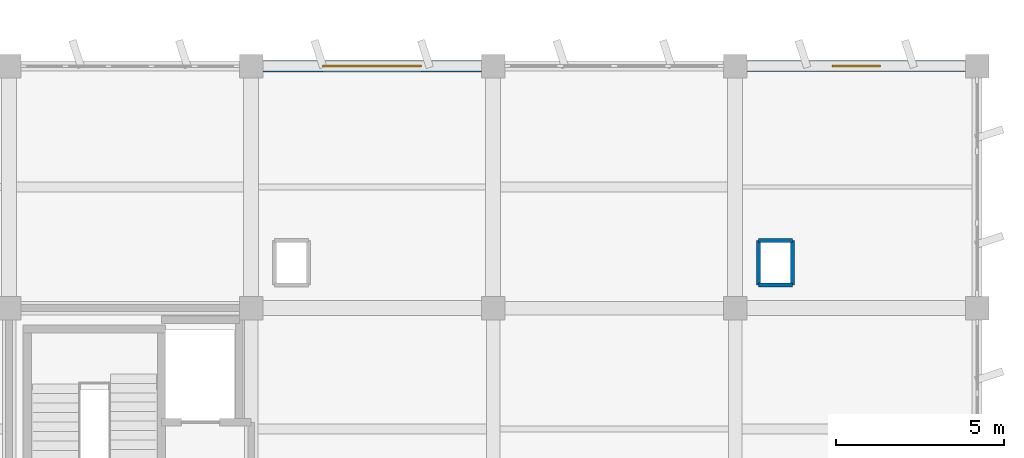
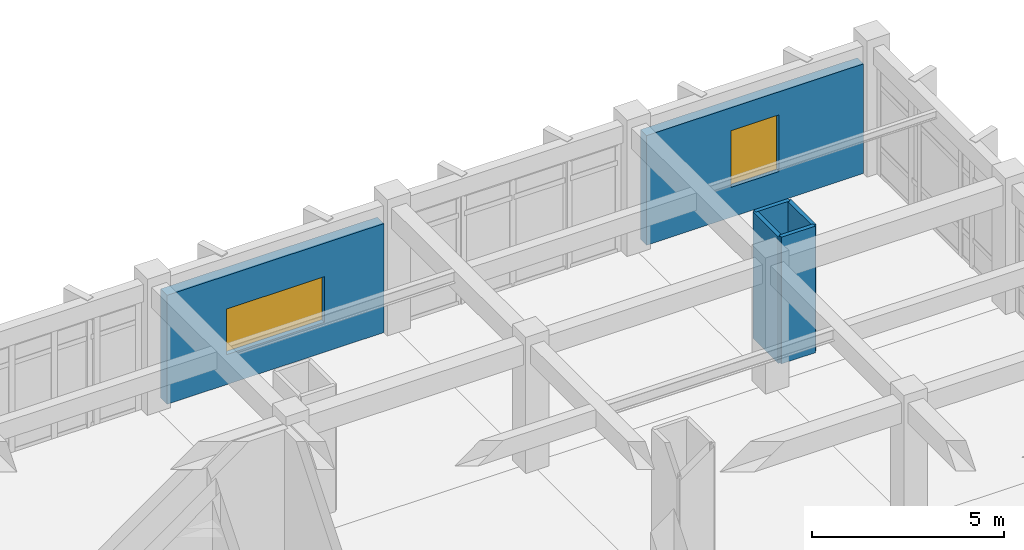
# One storey, part 62 of 70: 6 walls, 2 windows, 2 openings.
"""IFC4 building model written with IfcOpenShell, lengths in metres."""

from ifc_helpers import new_model, si_unit, direction, frame, frame_2d, origin, place, context, subcontext, project, spatial, rectangle, extrude, material, layer, layer_set, type_object, element, fill, save


model = new_model("IFC4")

# Units and contexts
model_context = context("Model", 3, precision=1e-05, world=origin(), true_north=direction((0.0, 1.0)))
body_context = subcontext(model_context, "Body", "Model", "MODEL_VIEW")
ifc_project = project(units=[si_unit("LENGTHUNIT", "METRE"), si_unit("AREAUNIT", "SQUARE_METRE"), si_unit("VOLUMEUNIT", "CUBIC_METRE"), si_unit("PLANEANGLEUNIT", "RADIAN"), si_unit("MASSUNIT", "GRAM", prefix="KILO")], contexts=[model_context])

# Site, building, storey
site_placement = place(None, origin())
site = spatial("IfcSite", under=ifc_project, at=site_placement, CompositionType="ELEMENT")
building_placement = place(site_placement, origin())
building = spatial("IfcBuilding", under=site, at=building_placement, Name="Kavelor Marine Aquarium", CompositionType="ELEMENT")
storey_placement = place(building_placement, frame((0.0, 0.0, 9.179931640625)))
storey = spatial("IfcBuildingStorey", under=building, at=storey_placement, Name="L02", CompositionType="ELEMENT", Elevation=9.179931640625)

# Wall, opening, window
ifc_material_1 = material(Name="Concrete C45/55", Category="concrete")
ifc_layer_1 = layer(ifc_material_1, 0.320068359375)
ifc_layer_set_1 = layer_set([ifc_layer_1], Name="WL-EX2")
wall_type_1 = type_object("IfcWallType", Name="WL-EX2", PredefinedType="STANDARD", material=ifc_layer_set_1)
wall_1_placement = place(storey_placement, frame((147.544921875, 110.800048828125, 0.0), z_axis=(0.0, 0.0, 1.0), x_axis=(1.0, 0.0, 0.0)))
wall_1 = element("IfcWall", 1, at=wall_1_placement, inside=storey, type_object=wall_type_1, Name="ew:x:L02:20_15", PredefinedType="STANDARD", context=body_context, shape_type="SweptSolid", body=[
    extrude(rectangle(XDim=6.510009765625, YDim=0.320068359375, at=frame_2d((3.2548828125, 0.0))), origin(), (0.0, 0.0, 1.0), 3.47998046875),
])
opening_1_placement = place(wall_1_placement, frame((2.530029296875, 0.0, 0.949951171875)))
opening_1 = element("IfcOpeningElement", 2, at=opening_1_placement, cuts=wall_1, Name="Opening W38", PredefinedType="OPENING", context=body_context, shape_type="SweptSolid", body=[
    extrude(rectangle(XDim=1.449951171875, YDim=1.800048828125, at=frame_2d((0.72509765625, 0.89990234375))), frame((0.0, 0.169921875, 0.0), z_axis=(0.0, -1.0, 0.0), x_axis=(1.0, 0.0, 0.0)), (0.0, 0.0, 1.0), 0.340068),
])
ifc_material_2 = material(Name="Anodised Aluminium Frame with Low-E Double Glazing", Category="aluminium")
window_type_1 = type_object("IfcWindowType", Name="WIN-W38", PartitioningType="SINGLE_PANEL", PredefinedType="WINDOW", material=ifc_material_2)
window_1_placement = place(opening_1_placement, origin())
window_1 = element("IfcWindow", 3, at=window_1_placement, inside=storey, type_object=window_type_1, Name="win:x:L02:20_15", OverallHeight=1.800048828125, OverallWidth=1.449951171875, PartitioningType="SINGLE_PANEL", PredefinedType="WINDOW", context=body_context, shape_type="SweptSolid", body=[
    extrude(rectangle(XDim=1.449951171875, YDim=1.800048828125, at=frame_2d((0.72509765625, 0.89990234375))), frame((0.0, 0.030029296875, 0.0), z_axis=(0.0, -1.0, 0.0), x_axis=(1.0, 0.0, 0.0)), (0.0, 0.0, 1.0), 0.06005859375),
])
fill(opening_1, window_1)

ifc_material_3 = material(Name="Concrete C45/55", Category="concrete")
ifc_layer_2 = layer(ifc_material_3, 0.340087890625)
ifc_layer_set_2 = layer_set([ifc_layer_2], Name="WL-EX6")
wall_type_2 = type_object("IfcWallType", Name="WL-EX6", PredefinedType="STANDARD", material=ifc_layer_set_2)
wall_2_placement = place(storey_placement, frame((133.14501953125, 110.800048828125, 0.0), z_axis=(0.0, 0.0, 1.0), x_axis=(1.0, 0.0, 0.0)))
wall_2 = element("IfcWall", 4, at=wall_2_placement, inside=storey, type_object=wall_type_2, Name="ew:x:L02:18_15", PredefinedType="STANDARD", context=body_context, shape_type="SweptSolid", body=[
    extrude(rectangle(XDim=6.510009765625, YDim=0.340087890625, at=frame_2d((3.2548828125, 0.0))), origin(), (0.0, 0.0, 1.0), 3.4599609375),
])
opening_2_placement = place(wall_2_placement, frame((1.780029296875, 0.0, 0.949951171875)))
opening_2 = element("IfcOpeningElement", 5, at=opening_2_placement, cuts=wall_2, Name="Opening W34", PredefinedType="OPENING", context=body_context, shape_type="SweptSolid", body=[
    extrude(rectangle(XDim=2.949951171875, YDim=1.449951171875, at=frame_2d((1.47509765625, 0.72509765625))), frame((0.0, 0.179931640625, 0.0), z_axis=(0.0, -1.0, 0.0), x_axis=(1.0, 0.0, 0.0)), (0.0, 0.0, 1.0), 0.360088),
])
ifc_material_4 = material(Name="Anodised Aluminium Frame with Low-E Double Glazing", Category="aluminium")
window_type_2 = type_object("IfcWindowType", Name="WIN-W34", PartitioningType="DOUBLE_PANEL_VERTICAL", PredefinedType="WINDOW", material=ifc_material_4)
window_2_placement = place(opening_2_placement, origin())
window_2 = element("IfcWindow", 6, at=window_2_placement, inside=storey, type_object=window_type_2, Name="win:x:L02:18_15", OverallHeight=1.449951171875, OverallWidth=2.949951171875, PartitioningType="SINGLE_PANEL", PredefinedType="WINDOW", context=body_context, shape_type="SweptSolid", body=[
    extrude(rectangle(XDim=2.949951171875, YDim=1.449951171875, at=frame_2d((1.47509765625, 0.72509765625))), frame((0.0, 0.030029296875, 0.0), z_axis=(0.0, -1.0, 0.0), x_axis=(1.0, 0.0, 0.0)), (0.0, 0.0, 1.0), 0.06005859375),
])
fill(opening_2, window_2)

# Walls
ifc_material_5 = material(Name="Lightweight Drywall Partition")
ifc_layer_3 = layer(ifc_material_5, 0.1201171875)
ifc_layer_set_3 = layer_set([ifc_layer_3], Name="WL-PT4")
wall_type_3 = type_object("IfcWallType", Name="WL-PT4", PredefinedType="PARTITIONING", material=ifc_layer_set_3)
for number, where, z_axis, x_axis, name in (
    (7, (147.889892578125, 104.2900390625, 0.0), (0.0, 0.0, 1.0), (1.0, 0.0, 0.0), "riser:s:L02:20_14"),
    (8, (147.889892578125, 105.610107421875, 0.0), (0.0, 0.0, 1.0), (1.0, 0.0, 0.0), "riser:n:L02:20_14"),
):
    element("IfcWall", number, at=place(storey_placement, frame(where, z_axis=z_axis, x_axis=x_axis)), inside=storey, type_object=wall_type_3, Name=name, PredefinedType="PARTITIONING", context=body_context, shape_type="SweptSolid", body=[
        extrude(rectangle(XDim=1.02001953125, YDim=0.1201171875, at=frame_2d((0.510009765625, 0.0))), origin(), (0.0, 0.0, 1.0), 4.02001953125),
    ])
for number, where, z_axis, x_axis, name in (
    (9, (147.889892578125, 104.2900390625, 0.0), (0.0, 0.0, 1.0), (0.0, 1.0, 0.0), "riser:w:L02:20_14"),
    (10, (148.909912109375, 104.2900390625, 0.0), (0.0, 0.0, 1.0), (0.0, 1.0, 0.0), "riser:e:L02:20_14"),
):
    element("IfcWall", number, at=place(storey_placement, frame(where, z_axis=z_axis, x_axis=x_axis)), inside=storey, type_object=wall_type_3, Name=name, PredefinedType="PARTITIONING", context=body_context, shape_type="SweptSolid", body=[
        extrude(rectangle(XDim=1.320068359375, YDim=0.1201171875, at=frame_2d((0.66015625, 0.0))), origin(), (0.0, 0.0, 1.0), 4.02001953125),
    ])

save(model, "model.ifc")
